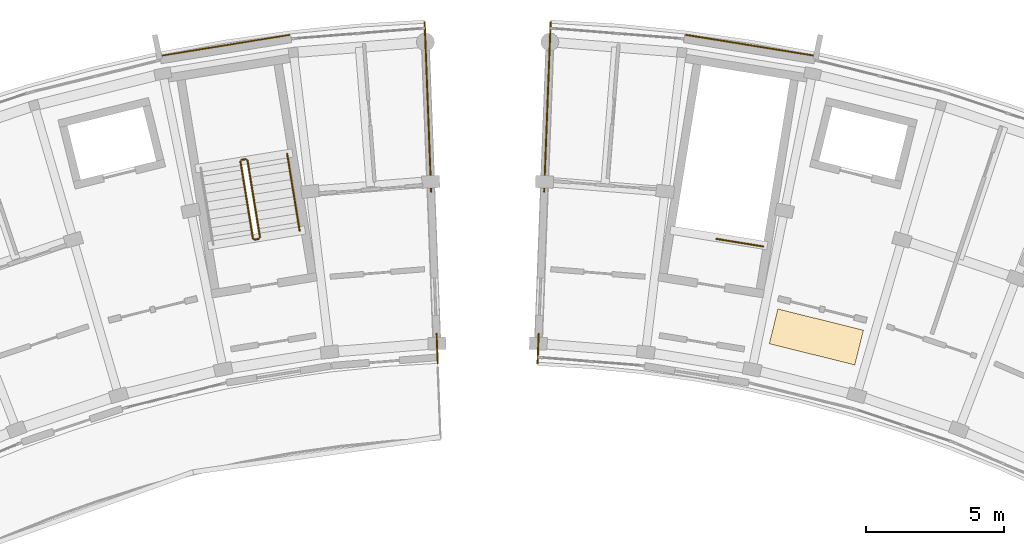
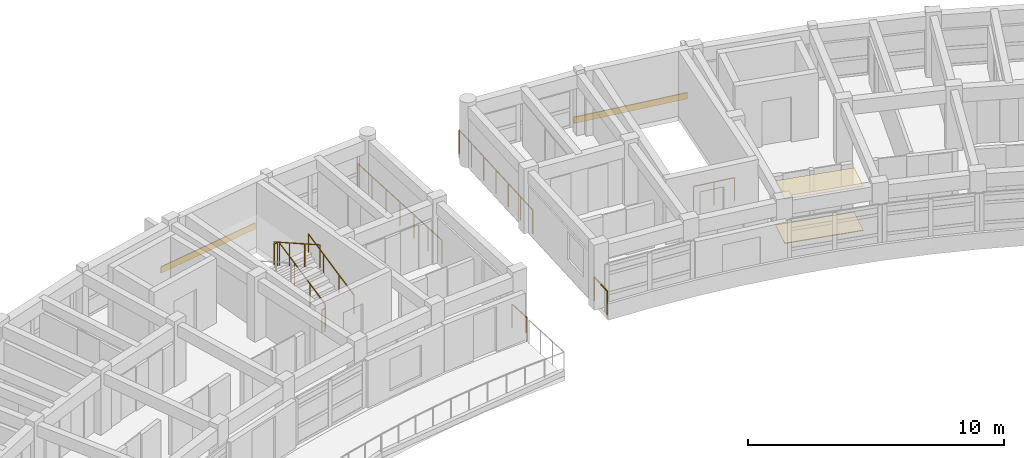
# One storey, part 22 of 23: 10 railings, 4 coverings.
"""IFC4 building model written with IfcOpenShell, lengths in metres."""

from ifc_helpers import new_model, si_unit, direction, frame, origin, origin_2d, place, context, subcontext, project, spatial, rectangle, circle, extrude, material, layer, layer_set, type_object, element, save


model = new_model("IFC4")

# Units and contexts
model_context = context("Model", 3, precision=1e-05, world=origin(), true_north=direction((0.0, 1.0)))
body_context = subcontext(model_context, "Body", "Model", "MODEL_VIEW")
ifc_project = project(units=[si_unit("LENGTHUNIT", "METRE"), si_unit("AREAUNIT", "SQUARE_METRE"), si_unit("VOLUMEUNIT", "CUBIC_METRE"), si_unit("PLANEANGLEUNIT", "RADIAN"), si_unit("MASSUNIT", "GRAM", prefix="KILO")], contexts=[model_context])

# Site, building, storey
site_placement = place(None, origin())
site = spatial("IfcSite", under=ifc_project, at=site_placement, CompositionType="ELEMENT")
building_placement = place(site_placement, origin())
building = spatial("IfcBuilding", under=site, at=building_placement, Name="Zimvara Arc Housing Community", CompositionType="ELEMENT")
storey_placement = place(building_placement, frame((0.0, 0.0, 36.0)))
storey = spatial("IfcBuildingStorey", under=building, at=storey_placement, Name="L11", CompositionType="ELEMENT", Elevation=36.0)

# Coverings
ifc_material_1 = material(Name="Pale-Gold Anodised Aluminium Cladding", Category="aluminium")
ifc_layer_1 = layer(ifc_material_1, 0.0400390625)
ifc_layer_set_1 = layer_set([ifc_layer_1], Name="Pale-Gold Anodised Aluminium Cladding")
covering_type_1 = type_object("IfcCoveringType", Name="CLD-GOLD-01", PredefinedType="CLADDING", material=ifc_layer_set_1)
covering_1_placement = place(storey_placement, frame((35.468994140625, 103.216064453125, 0.009765625), z_axis=(0.0, 0.0, 1.0), x_axis=(0.987080395872, 0.160225753504, 0.0)))
element("IfcCovering", 1, at=covering_1_placement, inside=storey, type_object=covering_type_1, Name="cld:blkA:L11:out:b8", PredefinedType="CLADDING", context=body_context, shape_type="SweptSolid", body=[
    extrude(rectangle(XDim=4.748779296875, YDim=0.0400390625, at=origin_2d()), origin(), (0.0, 0.0, 1.0), 0.300048828125),
])
ifc_material_2 = material(Name="Pale-Gold Anodised Aluminium Cladding", Category="aluminium")
ifc_layer_2 = layer(ifc_material_2, 0.044921875)
ifc_layer_set_2 = layer_set([ifc_layer_2], Name="Pale-Gold Anodised Aluminium Cladding")
covering_type_2 = type_object("IfcCoveringType", Name="CLD-GOLD-02", PredefinedType="CLADDING", material=ifc_layer_set_2)
covering_2_placement = place(storey_placement, frame((54.53125, 103.218505859375, 0.009765625), z_axis=(0.0, 0.0, 1.0), x_axis=(0.987080395872, -0.160225753504, 0.0)))
element("IfcCovering", 2, at=covering_2_placement, inside=storey, type_object=covering_type_2, Name="cld:blkB:L11:out:b1", PredefinedType="CLADDING", context=body_context, shape_type="SweptSolid", body=[
    extrude(rectangle(XDim=4.748779296875, YDim=0.044921875, at=origin_2d()), origin(), (0.0, 0.0, 1.0), 0.300048828125),
])
ifc_material_3 = material(Name="Perforated Acoustic Ceiling Board")
ifc_layer_3 = layer(ifc_material_3, 0.030029296875)
ifc_layer_set_3 = layer_set([ifc_layer_3], Name="Perforated Acoustic Ceiling Board")
covering_type_3 = type_object("IfcCoveringType", Name="COV-CEIL-04", PredefinedType="CEILING", material=ifc_layer_set_3)
covering_3_placement = place(storey_placement, frame((56.938232421875, 92.625, 2.10986328125), z_axis=(0.0, 0.0, 1.0), x_axis=(0.240228042477, 0.970716481578, 0.0)))
element("IfcCovering", 3, at=covering_3_placement, inside=storey, type_object=covering_type_3, Name="ceil:blkB:L11", PredefinedType="CEILING", context=body_context, shape_type="SweptSolid", body=[
    extrude(rectangle(XDim=1.300048828125, YDim=3.199951171875, at=origin_2d()), origin(), (0.0, 0.0, 1.0), 0.030029296875),
])
ifc_material_4 = material(Name="Polished Coastal Sand Terrazzo")
ifc_layer_4 = layer(ifc_material_4, 0.031982421875)
ifc_layer_set_4 = layer_set([ifc_layer_4], Name="Polished Coastal Sand Terrazzo")
covering_type_4 = type_object("IfcCoveringType", Name="COV-FLOR-04", PredefinedType="FLOORING", material=ifc_layer_set_4)
covering_4_placement = place(storey_placement, frame((56.938232421875, 92.625, 0.0), z_axis=(0.0, 0.0, 1.0), x_axis=(0.240228042477, 0.970716481578, 0.0)))
element("IfcCovering", 4, at=covering_4_placement, inside=storey, type_object=covering_type_4, Name="flor:blkB:L11", PredefinedType="FLOORING", context=body_context, shape_type="SweptSolid", body=[
    extrude(rectangle(XDim=1.300048828125, YDim=3.199951171875, at=origin_2d()), origin(), (0.0, 0.0, 1.0), 0.031982421875),
])

# Railings
ifc_material_5 = material(Name="Anodised Aluminium AW-6063", Category="aluminium")
railing_type_1 = type_object("IfcRailingType", Name="RLG-BAL-1120", PredefinedType="BALUSTRADE", material=ifc_material_5)
railing_1_placement = place(storey_placement, frame((36.732421875, 96.243896484375, 0.155029296875)))
element("IfcRailing", 5, at=railing_1_placement, inside=storey, type_object=railing_type_1, Name="L11 ST-A2 stair guard 1", PredefinedType="BALUSTRADE", context=body_context, shape_type="SweptSolid", body=[
    extrude(circle(Radius=0.02392578125, at=origin_2d()), frame((0.0, 0.0, 1.09619140625), z_axis=(-0.143721784145, 0.885666177347, 0.441519502474), x_axis=(-0.987087819028, -0.160180016, 0.0)), (0.0, 0.0, 1.0), 3.15966796875),
    extrude(circle(Radius=0.02099609375, at=origin_2d()), origin(), (0.0, 0.0, 1.0), 1.072021484375),
    extrude(circle(Radius=0.02099609375, at=origin_2d()), frame((-0.1513671875, 0.932861328125, 0.465087890625)), (0.0, 0.0, 1.0), 1.072021484375),
    extrude(circle(Radius=0.02099609375, at=origin_2d()), frame((-0.302734375, 1.865478515625, 0.929931640625)), (0.0, 0.0, 1.0), 1.072021484375),
    extrude(circle(Radius=0.02099609375, at=origin_2d()), frame((-0.4541015625, 2.79833984375, 1.39501953125)), (0.0, 0.0, 1.0), 1.072021484375),
])
railing_2_placement = place(storey_placement, frame((36.220947265625, 99.08349609375, 1.550048828125)))
element("IfcRailing", 6, at=railing_2_placement, inside=storey, type_object=railing_type_1, Name="L11 ST-A2 stair guard 2", PredefinedType="BALUSTRADE", context=body_context, shape_type="SweptSolid", body=[
    extrude(circle(Radius=0.02392578125, at=origin_2d()), frame((0.0, 0.0, 1.09619140625), z_axis=(-0.987085924886, -0.160191687964, 0.0), x_axis=(0.160191687964, -0.987085924886, 0.0)), (0.0, 0.0, 1.0), 0.159912109375),
    extrude(circle(Radius=0.02099609375, at=origin_2d()), origin(), (0.0, 0.0, 1.0), 1.072021484375),
    extrude(circle(Radius=0.02099609375, at=origin_2d()), frame((-0.157958984375, -0.025634765625, 0.0)), (0.0, 0.0, 1.0), 1.072021484375),
])
railing_3_placement = place(storey_placement, frame((36.021728515625, 99.00048828125, 1.705078125)))
element("IfcRailing", 7, at=railing_3_placement, inside=storey, type_object=railing_type_1, Name="L11 ST-A2 stair guard 3", PredefinedType="BALUSTRADE", context=body_context, shape_type="SweptSolid", body=[
    extrude(circle(Radius=0.02392578125, at=origin_2d()), frame((0.0, 0.0, 1.09619140625), z_axis=(0.143721784145, -0.885666177347, 0.441519502474), x_axis=(0.987087819028, 0.160180016, 0.0)), (0.0, 0.0, 1.0), 3.15966796875),
    extrude(circle(Radius=0.02099609375, at=origin_2d()), origin(), (0.0, 0.0, 1.0), 1.072021484375),
    extrude(circle(Radius=0.02099609375, at=origin_2d()), frame((0.1513671875, -0.932861328125, 0.465087890625)), (0.0, 0.0, 1.0), 1.072021484375),
    extrude(circle(Radius=0.02099609375, at=origin_2d()), frame((0.302734375, -1.865478515625, 0.929931640625)), (0.0, 0.0, 1.0), 1.072021484375),
    extrude(circle(Radius=0.02099609375, at=origin_2d()), frame((0.4541015625, -2.79833984375, 1.39501953125)), (0.0, 0.0, 1.0), 1.072021484375),
])
railing_4_placement = place(storey_placement, frame((36.691162109375, 96.1865234375, 0.0)))
element("IfcRailing", 8, at=railing_4_placement, inside=storey, type_object=railing_type_1, Name="L11 ST-A2 stair guard 4", PredefinedType="BALUSTRADE", context=body_context, shape_type="SweptSolid", body=[
    extrude(circle(Radius=0.02392578125, at=origin_2d()), frame((0.0, 0.0, 1.09619140625), z_axis=(-0.987085924886, -0.160191687964, 0.0), x_axis=(0.160191687964, -0.987085924886, 0.0)), (0.0, 0.0, 1.0), 0.159912109375),
    extrude(circle(Radius=0.02099609375, at=origin_2d()), origin(), (0.0, 0.0, 1.0), 1.072021484375),
    extrude(circle(Radius=0.02099609375, at=origin_2d()), frame((-0.157958984375, -0.025634765625, 0.0)), (0.0, 0.0, 1.0), 1.072021484375),
])
railing_5_placement = place(storey_placement, frame((55.006591796875, 95.910888671875, 0.0)))
element("IfcRailing", 9, at=railing_5_placement, inside=storey, type_object=railing_type_1, Name="L11 ST-B1 top well guard 1", PredefinedType="BALUSTRADE", context=body_context, shape_type="SweptSolid", body=[
    extrude(circle(Radius=0.02392578125, at=origin_2d()), frame((0.0, 0.0, 1.09619140625), z_axis=(-0.987075758678, 0.1602543186, 0.0), x_axis=(-0.1602543186, -0.987075758678, 0.0)), (0.0, 0.0, 1.0), 1.719970703125),
    extrude(circle(Radius=0.02099609375, at=origin_2d()), origin(), (0.0, 0.0, 1.0), 1.072021484375),
    extrude(circle(Radius=0.02099609375, at=origin_2d()), frame((-0.848876953125, 0.1376953125, 0.0)), (0.0, 0.0, 1.0), 1.072021484375),
    extrude(circle(Radius=0.02099609375, at=origin_2d()), frame((-1.69775390625, 0.275634765625, 0.0)), (0.0, 0.0, 1.0), 1.072021484375),
])
ifc_material_6 = material(Name="Anodised Aluminium AW-6063", Category="aluminium")
railing_type_2 = type_object("IfcRailingType", Name="RLG-BAL-1150", PredefinedType="BALUSTRADE", material=ifc_material_6)
railing_6_placement = place(storey_placement, frame((43.18798828125, 91.665283203125, 0.0)))
element("IfcRailing", 10, at=railing_6_placement, inside=storey, type_object=railing_type_2, Name="rlg:blkA:L11:gable_in:gN", PredefinedType="BALUSTRADE", context=body_context, shape_type="SweptSolid", body=[
    extrude(circle(Radius=0.02392578125, at=origin_2d()), frame((0.0, 0.0, 1.1259765625), z_axis=(-0.038207375916, 0.99926983164, 0.0), x_axis=(-0.99926983164, -0.038207375916, 0.0)), (0.0, 0.0, 1.0), 1.079833984375),
    extrude(circle(Radius=0.02099609375, at=origin_2d()), origin(), (0.0, 0.0, 1.0), 1.101806640625),
    extrude(circle(Radius=0.02099609375, at=origin_2d()), frame((-0.041259765625, 1.0791015625, 0.0)), (0.0, 0.0, 1.0), 1.101806640625),
])
railing_7_placement = place(storey_placement, frame((42.948486328125, 97.900634765625, 0.0)))
element("IfcRailing", 11, at=railing_7_placement, inside=storey, type_object=railing_type_2, Name="rlg:blkA:L11:gable_out:gN", PredefinedType="BALUSTRADE", context=body_context, shape_type="SweptSolid", body=[
    extrude(circle(Radius=0.02392578125, at=origin_2d()), frame((0.0, 0.0, 1.1259765625), z_axis=(-0.038364627964, 0.99926380667, 0.0), x_axis=(-0.99926380667, -0.038364627964, 0.0)), (0.0, 0.0, 1.0), 6.16015625),
    extrude(circle(Radius=0.02099609375, at=origin_2d()), origin(), (0.0, 0.0, 1.0), 1.101806640625),
    extrude(circle(Radius=0.02099609375, at=origin_2d()), frame((-0.039306640625, 1.02587890625, 0.0)), (0.0, 0.0, 1.0), 1.101806640625),
    extrude(circle(Radius=0.02099609375, at=origin_2d()), frame((-0.078857421875, 2.0517578125, 0.0)), (0.0, 0.0, 1.0), 1.101806640625),
    extrude(circle(Radius=0.02099609375, at=origin_2d()), frame((-0.1181640625, 3.07763671875, 0.0)), (0.0, 0.0, 1.0), 1.101806640625),
    extrude(circle(Radius=0.02099609375, at=origin_2d()), frame((-0.157470703125, 4.103759765625, 0.0)), (0.0, 0.0, 1.0), 1.101806640625),
    extrude(circle(Radius=0.02099609375, at=origin_2d()), frame((-0.197021484375, 5.129638671875, 0.0)), (0.0, 0.0, 1.0), 1.101806640625),
    extrude(circle(Radius=0.02099609375, at=origin_2d()), frame((-0.236328125, 6.155517578125, 0.0)), (0.0, 0.0, 1.0), 1.101806640625),
])
railing_8_placement = place(storey_placement, frame((46.81201171875, 91.665283203125, 0.0)))
element("IfcRailing", 12, at=railing_8_placement, inside=storey, type_object=railing_type_2, Name="rlg:blkB:L11:gable_in:g0", PredefinedType="BALUSTRADE", context=body_context, shape_type="SweptSolid", body=[
    extrude(circle(Radius=0.02392578125, at=origin_2d()), frame((0.0, 0.0, 1.1259765625), z_axis=(0.038207375916, 0.99926983164, 0.0), x_axis=(-0.99926983164, 0.038207375916, 0.0)), (0.0, 0.0, 1.0), 1.079833984375),
    extrude(circle(Radius=0.02099609375, at=origin_2d()), origin(), (0.0, 0.0, 1.0), 1.101806640625),
    extrude(circle(Radius=0.02099609375, at=origin_2d()), frame((0.041259765625, 1.0791015625, 0.0)), (0.0, 0.0, 1.0), 1.101806640625),
])
railing_9_placement = place(storey_placement, frame((47.051513671875, 97.900634765625, 0.0)))
element("IfcRailing", 13, at=railing_9_placement, inside=storey, type_object=railing_type_2, Name="rlg:blkB:L11:gable_out:g0", PredefinedType="BALUSTRADE", context=body_context, shape_type="SweptSolid", body=[
    extrude(circle(Radius=0.02392578125, at=origin_2d()), frame((0.0, 0.0, 1.1259765625), z_axis=(0.038364627964, 0.99926380667, 0.0), x_axis=(-0.99926380667, 0.038364627964, 0.0)), (0.0, 0.0, 1.0), 6.16015625),
    extrude(circle(Radius=0.02099609375, at=origin_2d()), origin(), (0.0, 0.0, 1.0), 1.101806640625),
    extrude(circle(Radius=0.02099609375, at=origin_2d()), frame((0.039306640625, 1.02587890625, 0.0)), (0.0, 0.0, 1.0), 1.101806640625),
    extrude(circle(Radius=0.02099609375, at=origin_2d()), frame((0.078857421875, 2.0517578125, 0.0)), (0.0, 0.0, 1.0), 1.101806640625),
    extrude(circle(Radius=0.02099609375, at=origin_2d()), frame((0.1181640625, 3.07763671875, 0.0)), (0.0, 0.0, 1.0), 1.101806640625),
    extrude(circle(Radius=0.02099609375, at=origin_2d()), frame((0.157470703125, 4.103759765625, 0.0)), (0.0, 0.0, 1.0), 1.101806640625),
    extrude(circle(Radius=0.02099609375, at=origin_2d()), frame((0.197021484375, 5.129638671875, 0.0)), (0.0, 0.0, 1.0), 1.101806640625),
    extrude(circle(Radius=0.02099609375, at=origin_2d()), frame((0.236328125, 6.155517578125, 0.0)), (0.0, 0.0, 1.0), 1.101806640625),
])
ifc_material_7 = material(Name="Anodised Aluminium AW-6063", Category="aluminium")
railing_type_3 = type_object("IfcRailingType", Name="RLG-HND-900", PredefinedType="HANDRAIL", material=ifc_material_7)
railing_10_placement = place(storey_placement, frame((38.173583984375, 96.477783203125, 0.155029296875)))
element("IfcRailing", 14, at=railing_10_placement, inside=storey, type_object=railing_type_3, Name="L11 ST-A2 stair handrail 1", PredefinedType="HANDRAIL", context=body_context, shape_type="SweptSolid", body=[
    extrude(circle(Radius=0.02392578125, at=origin_2d()), frame((0.0, 0.0, 0.8759765625), z_axis=(-0.143721784145, 0.885666177347, 0.441519502474), x_axis=(-0.987087819028, -0.160180016, 0.0)), (0.0, 0.0, 1.0), 3.15966796875),
    extrude(circle(Radius=0.02099609375, at=origin_2d()), origin(), (0.0, 0.0, 1.0), 0.851806640625),
    extrude(circle(Radius=0.02099609375, at=origin_2d()), frame((-0.1513671875, 0.932861328125, 0.465087890625)), (0.0, 0.0, 1.0), 0.851806640625),
    extrude(circle(Radius=0.02099609375, at=origin_2d()), frame((-0.302734375, 1.865478515625, 0.929931640625)), (0.0, 0.0, 1.0), 0.851806640625),
    extrude(circle(Radius=0.02099609375, at=origin_2d()), frame((-0.4541015625, 2.79833984375, 1.39501953125)), (0.0, 0.0, 1.0), 0.851806640625),
])

save(model, "model.ifc")
